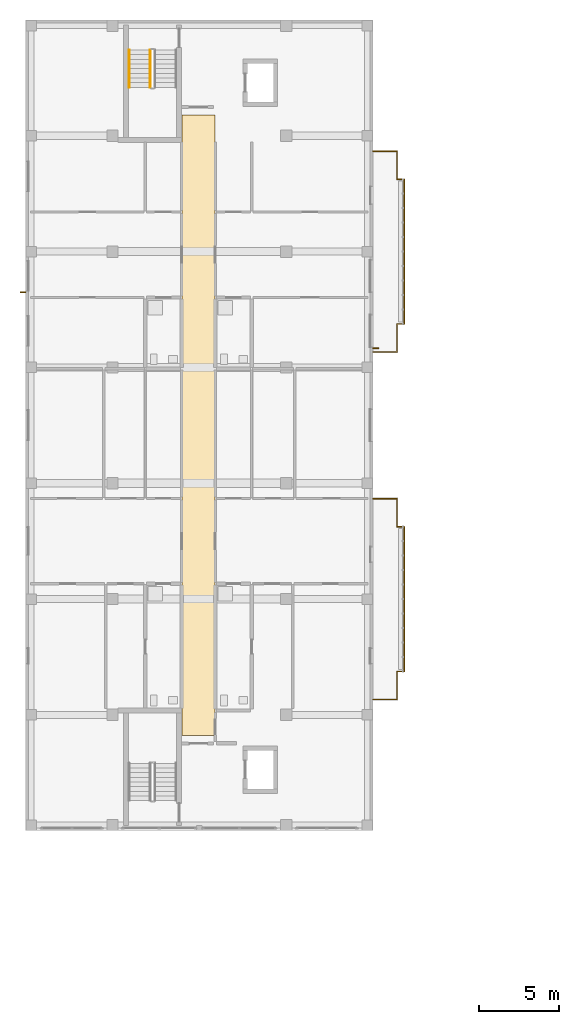
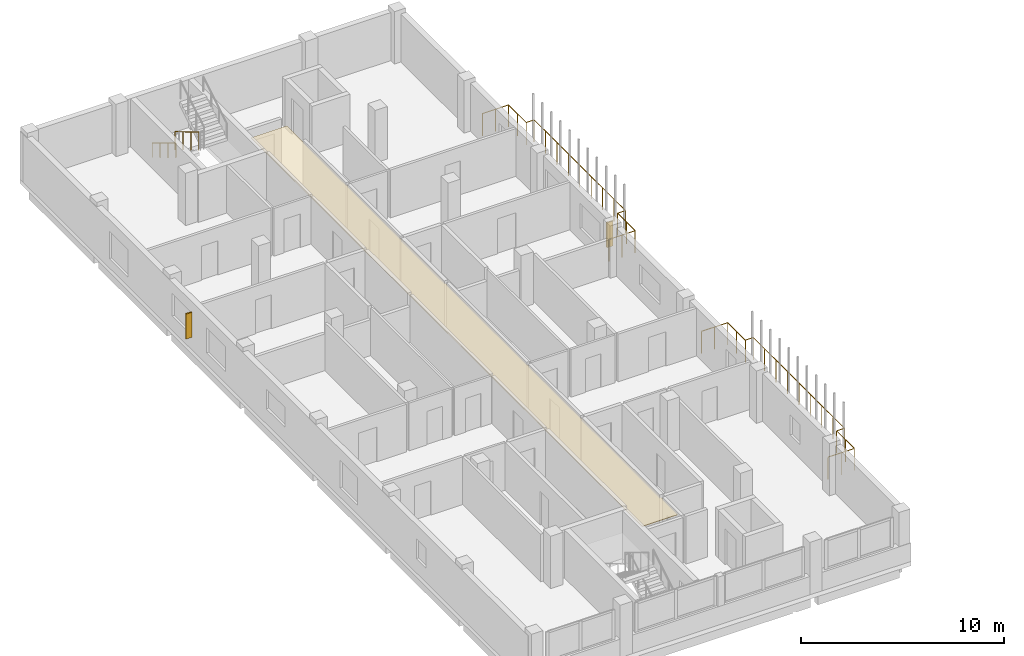
# One storey, part 43 of 51: 4 railings, 2 shading devices, 1 covering.
"""IFC4 building model written with IfcOpenShell, lengths in metres."""

from ifc_helpers import new_model, si_unit, derived_unit, direction, frame, origin, origin_2d, place, context, subcontext, project, spatial, polyline, rectangle, circle, outline, extrude, material, layer, layer_set, type_object, element, save


model = new_model("IFC4")

# Units and contexts
model_context = context("Model", 3, precision=1e-05, world=origin(), true_north=direction((0.0, 1.0)))
body_context = subcontext(model_context, "Body", "Model", "MODEL_VIEW")
ifc_project = project(units=[si_unit("LENGTHUNIT", "METRE"), si_unit("AREAUNIT", "SQUARE_METRE"), si_unit("VOLUMEUNIT", "CUBIC_METRE"), si_unit("PLANEANGLEUNIT", "RADIAN"), si_unit("MASSUNIT", "GRAM", prefix="KILO"), derived_unit("THERMALTRANSMITTANCEUNIT", [(si_unit("MASSUNIT", "GRAM", prefix="KILO"), 1), (si_unit("TIMEUNIT", "SECOND"), -3), (si_unit("THERMODYNAMICTEMPERATUREUNIT", "KELVIN"), -1)])], contexts=[model_context])

# Site, building, storey
site_placement = place(None, origin())
site = spatial("IfcSite", under=ifc_project, at=site_placement, CompositionType="ELEMENT")
building_placement = place(site_placement, origin())
building = spatial("IfcBuilding", under=site, at=building_placement, Name="Ochrekiln Boulevard Commons", CompositionType="ELEMENT")
storey_placement = place(building_placement, frame((0.0, 0.0, 15.22509765625)))
storey = spatial("IfcBuildingStorey", under=building, at=storey_placement, Name="L04", CompositionType="ELEMENT", Elevation=15.22509765625)

# Covering
ifc_material_1 = material(Name="Mineral-fibre acoustic ceiling tile")
ifc_layer = layer(ifc_material_1, 0.02490234375)
ifc_layer_set = layer_set([ifc_layer], Name="Mineral-fibre acoustic ceiling tile")
covering_type = type_object("IfcCoveringType", Name="COV-CEIL-AC", PredefinedType="CEILING", material=ifc_layer_set)
covering_placement = place(storey_placement, frame((0.0, 0.0, 2.64990234375)))
element("IfcCovering", 1, at=covering_placement, inside=storey, type_object=covering_type, Name="L04 Acoustic Corridor Ceiling 43", PredefinedType="CEILING", context=body_context, shape_type="SweptSolid", body=[
    extrude(outline(polyline([(9.719970703125, 74.320068359375), (11.780029296875, 74.320068359375), (11.780029296875, 112.8798828125), (9.719970703125, 112.8798828125), (9.719970703125, 74.320068359375)])), origin(), (0.0, 0.0, 1.0), 0.02490234375),
])

# Railings
ifc_material_2 = material(Name="Bronze-anodized extruded aluminium 6063-T6", Category="aluminium")
railing_type_1 = type_object("IfcRailingType", Name="RLG-BAL-1350", PredefinedType="BALUSTRADE", material=ifc_material_2)
railing_1_placement = place(storey_placement, frame((21.60009765625, 76.56005859375, 0.0)))
element("IfcRailing", 2, at=railing_1_placement, inside=storey, type_object=railing_type_1, Name="Block A L04 Balcony Guard Balustrade 1", PredefinedType="BALUSTRADE", context=body_context, shape_type="SweptSolid", body=[
    extrude(circle(Radius=0.02392578125, at=origin_2d()), frame((0.0, 0.0, 1.326171875), z_axis=(1.0, 0.0, 0.0), x_axis=(0.0, 1.0, 0.0)), (0.0, 0.0, 1.0), 1.489990234375),
    extrude(circle(Radius=0.02392578125, at=origin_2d()), frame((1.489990234375, 0.0, 1.326171875), z_axis=(0.0, 1.0, 0.0), x_axis=(-1.0, 0.0, 0.0)), (0.0, 0.0, 1.0), 1.739990234375),
    extrude(circle(Radius=0.02392578125, at=origin_2d()), frame((1.489990234375, 1.739990234375, 1.326171875), z_axis=(1.0, 0.0, 0.0), x_axis=(0.0, 1.0, 0.0)), (0.0, 0.0, 1.0), 0.449951171875),
    extrude(circle(Radius=0.02392578125, at=origin_2d()), frame((1.93994140625, 1.739990234375, 1.326171875), z_axis=(0.0, 1.0, 0.0), x_axis=(-1.0, 0.0, 0.0)), (0.0, 0.0, 1.0), 9.0),
    extrude(circle(Radius=0.02392578125, at=origin_2d()), frame((1.93994140625, 10.739990234375, 1.326171875), z_axis=(-1.0, 0.0, 0.0), x_axis=(0.0, -1.0, 0.0)), (0.0, 0.0, 1.0), 0.449951171875),
    extrude(circle(Radius=0.02392578125, at=origin_2d()), frame((1.489990234375, 10.739990234375, 1.326171875), z_axis=(0.0, 1.0, 0.0), x_axis=(-1.0, 0.0, 0.0)), (0.0, 0.0, 1.0), 1.739990234375),
    extrude(circle(Radius=0.02392578125, at=origin_2d()), frame((1.489990234375, 12.47998046875, 1.326171875), z_axis=(-1.0, 0.0, 0.0), x_axis=(0.0, -1.0, 0.0)), (0.0, 0.0, 1.0), 1.489990234375),
    extrude(circle(Radius=0.02099609375, at=origin_2d()), origin(), (0.0, 0.0, 1.0), 1.302001953125),
    extrude(circle(Radius=0.02099609375, at=origin_2d()), frame((0.7451171875, 0.0, 0.0)), (0.0, 0.0, 1.0), 1.302001953125),
    extrude(circle(Radius=0.02099609375, at=origin_2d()), frame((1.489990234375, 0.0, 0.0)), (0.0, 0.0, 1.0), 1.302001953125),
    extrude(circle(Radius=0.02099609375, at=origin_2d()), frame((1.489990234375, 0.8701171875, 0.0)), (0.0, 0.0, 1.0), 1.302001953125),
    extrude(circle(Radius=0.02099609375, at=origin_2d()), frame((1.489990234375, 1.739990234375, 0.0)), (0.0, 0.0, 1.0), 1.302001953125),
    extrude(circle(Radius=0.02099609375, at=origin_2d()), frame((1.93994140625, 1.739990234375, 0.0)), (0.0, 0.0, 1.0), 1.302001953125),
    extrude(circle(Radius=0.02099609375, at=origin_2d()), frame((1.93994140625, 2.864990234375, 0.0)), (0.0, 0.0, 1.0), 1.302001953125),
    extrude(circle(Radius=0.02099609375, at=origin_2d()), frame((1.93994140625, 3.989990234375, 0.0)), (0.0, 0.0, 1.0), 1.302001953125),
    extrude(circle(Radius=0.02099609375, at=origin_2d()), frame((1.93994140625, 5.114990234375, 0.0)), (0.0, 0.0, 1.0), 1.302001953125),
    extrude(circle(Radius=0.02099609375, at=origin_2d()), frame((1.93994140625, 6.239990234375, 0.0)), (0.0, 0.0, 1.0), 1.302001953125),
    extrude(circle(Radius=0.02099609375, at=origin_2d()), frame((1.93994140625, 7.364990234375, 0.0)), (0.0, 0.0, 1.0), 1.302001953125),
    extrude(circle(Radius=0.02099609375, at=origin_2d()), frame((1.93994140625, 8.489990234375, 0.0)), (0.0, 0.0, 1.0), 1.302001953125),
    extrude(circle(Radius=0.02099609375, at=origin_2d()), frame((1.93994140625, 9.614990234375, 0.0)), (0.0, 0.0, 1.0), 1.302001953125),
    extrude(circle(Radius=0.02099609375, at=origin_2d()), frame((1.93994140625, 10.739990234375, 0.0)), (0.0, 0.0, 1.0), 1.302001953125),
    extrude(circle(Radius=0.02099609375, at=origin_2d()), frame((1.489990234375, 10.739990234375, 0.0)), (0.0, 0.0, 1.0), 1.302001953125),
    extrude(circle(Radius=0.02099609375, at=origin_2d()), frame((1.489990234375, 11.60986328125, 0.0)), (0.0, 0.0, 1.0), 1.302001953125),
    extrude(circle(Radius=0.02099609375, at=origin_2d()), frame((1.489990234375, 12.47998046875, 0.0)), (0.0, 0.0, 1.0), 1.302001953125),
    extrude(circle(Radius=0.02099609375, at=origin_2d()), frame((0.7451171875, 12.47998046875, 0.0)), (0.0, 0.0, 1.0), 1.302001953125),
    extrude(circle(Radius=0.02099609375, at=origin_2d()), frame((0.0, 12.47998046875, 0.0)), (0.0, 0.0, 1.0), 1.302001953125),
])
railing_2_placement = place(storey_placement, frame((21.60009765625, 98.159912109375, 0.0)))
element("IfcRailing", 3, at=railing_2_placement, inside=storey, type_object=railing_type_1, Name="Block A L04 Balcony Guard Balustrade 2", PredefinedType="BALUSTRADE", context=body_context, shape_type="SweptSolid", body=[
    extrude(circle(Radius=0.02392578125, at=origin_2d()), frame((0.0, 0.0, 1.326171875), z_axis=(1.0, 0.0, 0.0), x_axis=(0.0, 1.0, 0.0)), (0.0, 0.0, 1.0), 1.489990234375),
    extrude(circle(Radius=0.02392578125, at=origin_2d()), frame((1.489990234375, 0.0, 1.326171875), z_axis=(0.0, 1.0, 0.0), x_axis=(-1.0, 0.0, 0.0)), (0.0, 0.0, 1.0), 1.739990234375),
    extrude(circle(Radius=0.02392578125, at=origin_2d()), frame((1.489990234375, 1.739990234375, 1.326171875), z_axis=(1.0, 0.0, 0.0), x_axis=(0.0, 1.0, 0.0)), (0.0, 0.0, 1.0), 0.449951171875),
    extrude(circle(Radius=0.02392578125, at=origin_2d()), frame((1.93994140625, 1.739990234375, 1.326171875), z_axis=(0.0, 1.0, 0.0), x_axis=(-1.0, 0.0, 0.0)), (0.0, 0.0, 1.0), 9.0),
    extrude(circle(Radius=0.02392578125, at=origin_2d()), frame((1.93994140625, 10.739990234375, 1.326171875), z_axis=(-1.0, 0.0, 0.0), x_axis=(0.0, -1.0, 0.0)), (0.0, 0.0, 1.0), 0.449951171875),
    extrude(circle(Radius=0.02392578125, at=origin_2d()), frame((1.489990234375, 10.739990234375, 1.326171875), z_axis=(0.0, 1.0, 0.0), x_axis=(-1.0, 0.0, 0.0)), (0.0, 0.0, 1.0), 1.739990234375),
    extrude(circle(Radius=0.02392578125, at=origin_2d()), frame((1.489990234375, 12.47998046875, 1.326171875), z_axis=(-1.0, 0.0, 0.0), x_axis=(0.0, -1.0, 0.0)), (0.0, 0.0, 1.0), 1.489990234375),
    extrude(circle(Radius=0.02099609375, at=origin_2d()), origin(), (0.0, 0.0, 1.0), 1.302001953125),
    extrude(circle(Radius=0.02099609375, at=origin_2d()), frame((0.7451171875, 0.0, 0.0)), (0.0, 0.0, 1.0), 1.302001953125),
    extrude(circle(Radius=0.02099609375, at=origin_2d()), frame((1.489990234375, 0.0, 0.0)), (0.0, 0.0, 1.0), 1.302001953125),
    extrude(circle(Radius=0.02099609375, at=origin_2d()), frame((1.489990234375, 0.8701171875, 0.0)), (0.0, 0.0, 1.0), 1.302001953125),
    extrude(circle(Radius=0.02099609375, at=origin_2d()), frame((1.489990234375, 1.739990234375, 0.0)), (0.0, 0.0, 1.0), 1.302001953125),
    extrude(circle(Radius=0.02099609375, at=origin_2d()), frame((1.93994140625, 1.739990234375, 0.0)), (0.0, 0.0, 1.0), 1.302001953125),
    extrude(circle(Radius=0.02099609375, at=origin_2d()), frame((1.93994140625, 2.864990234375, 0.0)), (0.0, 0.0, 1.0), 1.302001953125),
    extrude(circle(Radius=0.02099609375, at=origin_2d()), frame((1.93994140625, 3.989990234375, 0.0)), (0.0, 0.0, 1.0), 1.302001953125),
    extrude(circle(Radius=0.02099609375, at=origin_2d()), frame((1.93994140625, 5.114990234375, 0.0)), (0.0, 0.0, 1.0), 1.302001953125),
    extrude(circle(Radius=0.02099609375, at=origin_2d()), frame((1.93994140625, 6.239990234375, 0.0)), (0.0, 0.0, 1.0), 1.302001953125),
    extrude(circle(Radius=0.02099609375, at=origin_2d()), frame((1.93994140625, 7.364990234375, 0.0)), (0.0, 0.0, 1.0), 1.302001953125),
    extrude(circle(Radius=0.02099609375, at=origin_2d()), frame((1.93994140625, 8.489990234375, 0.0)), (0.0, 0.0, 1.0), 1.302001953125),
    extrude(circle(Radius=0.02099609375, at=origin_2d()), frame((1.93994140625, 9.614990234375, 0.0)), (0.0, 0.0, 1.0), 1.302001953125),
    extrude(circle(Radius=0.02099609375, at=origin_2d()), frame((1.93994140625, 10.739990234375, 0.0)), (0.0, 0.0, 1.0), 1.302001953125),
    extrude(circle(Radius=0.02099609375, at=origin_2d()), frame((1.489990234375, 10.739990234375, 0.0)), (0.0, 0.0, 1.0), 1.302001953125),
    extrude(circle(Radius=0.02099609375, at=origin_2d()), frame((1.489990234375, 11.60986328125, 0.0)), (0.0, 0.0, 1.0), 1.302001953125),
    extrude(circle(Radius=0.02099609375, at=origin_2d()), frame((1.489990234375, 12.47998046875, 0.0)), (0.0, 0.0, 1.0), 1.302001953125),
    extrude(circle(Radius=0.02099609375, at=origin_2d()), frame((0.7451171875, 12.47998046875, 0.0)), (0.0, 0.0, 1.0), 1.302001953125),
    extrude(circle(Radius=0.02099609375, at=origin_2d()), frame((0.0, 12.47998046875, 0.0)), (0.0, 0.0, 1.0), 1.302001953125),
])
ifc_material_3 = material(Name="Brushed stainless steel 316 tubular railing", Category="steel")
railing_type_2 = type_object("IfcRailingType", Name="RLG-HDR-900", PredefinedType="HANDRAIL", material=ifc_material_3)
railing_3_placement = place(storey_placement, frame((6.449951171875, 116.929931640625, 0.1748046875)))
element("IfcRailing", 4, at=railing_3_placement, inside=storey, type_object=railing_type_2, Name="L04 ST-A2 stair handrail 1", PredefinedType="HANDRAIL", context=body_context, shape_type="SweptSolid", body=[
    extrude(circle(Radius=0.02392578125, at=origin_2d()), frame((0.0, 0.0, 0.8759765625), z_axis=(0.0, -0.856146426353, 0.516733293531), x_axis=(1.0, 0.0, 0.0)), (0.0, 0.0, 1.0), 2.709716796875),
    extrude(circle(Radius=0.02099609375, at=origin_2d()), origin(), (0.0, 0.0, 1.0), 0.851806640625),
    extrude(circle(Radius=0.02099609375, at=origin_2d()), frame((0.0, -0.773193359375, 0.466796875)), (0.0, 0.0, 1.0), 0.851806640625),
    extrude(circle(Radius=0.02099609375, at=origin_2d()), frame((0.0, -1.546630859375, 0.933349609375)), (0.0, 0.0, 1.0), 0.851806640625),
    extrude(circle(Radius=0.02099609375, at=origin_2d()), frame((0.0, -2.31982421875, 1.400146484375)), (0.0, 0.0, 1.0), 0.851806640625),
])
railing_type_3 = type_object("IfcRailingType", Name="RLG-STR-1120", PredefinedType="BALUSTRADE", material=ifc_material_3)
railing_4_placement = place(storey_placement, frame((7.75, 116.929931640625, 0.1748046875)))
element("IfcRailing", 5, at=railing_4_placement, inside=storey, type_object=railing_type_3, Name="L04 ST-A2 stair guard 1", PredefinedType="BALUSTRADE", context=body_context, shape_type="SweptSolid", body=[
    extrude(circle(Radius=0.02392578125, at=origin_2d()), frame((0.0, 0.0, 1.09619140625), z_axis=(0.0, -0.856146426353, 0.516733293531), x_axis=(1.0, 0.0, 0.0)), (0.0, 0.0, 1.0), 2.709716796875),
    extrude(circle(Radius=0.02099609375, at=origin_2d()), origin(), (0.0, 0.0, 1.0), 1.072021484375),
    extrude(circle(Radius=0.02099609375, at=origin_2d()), frame((0.0, -0.773193359375, 0.466796875)), (0.0, 0.0, 1.0), 1.072021484375),
    extrude(circle(Radius=0.02099609375, at=origin_2d()), frame((0.0, -1.546630859375, 0.933349609375)), (0.0, 0.0, 1.0), 1.072021484375),
    extrude(circle(Radius=0.02099609375, at=origin_2d()), frame((0.0, -2.31982421875, 1.400146484375)), (0.0, 0.0, 1.0), 1.072021484375),
])

# Shading devices
ifc_material_4 = material(Name="Glazed architectural terracotta ASTM C1405", Category="masonry")
shading_device_type = type_object("IfcShadingDeviceType", Name="SHD-FIN-TERRA", PredefinedType="JALOUSIE", material=ifc_material_4)
for number, where, z_axis, x_axis, name in (
    (6, (-0.169921875, 101.8740234375, 0.77978515625), (0.0, 0.0, 1.0), (1.0, 0.0, 0.0), "Terracotta Solar Shading Fin SF-01 (7)"),
    (7, (21.77001953125, 98.388916015625, 0.704833984375), (0.0, 0.0, 1.0), (1.0, 0.0, 0.0), "Terracotta Solar Shading Fin SF-01 (8)"),
):
    element("IfcShadingDevice", number, at=place(storey_placement, frame(where, z_axis=z_axis, x_axis=x_axis)), inside=storey, type_object=shading_device_type, Name=name, PredefinedType="JALOUSIE", context=body_context, shape_type="SweptSolid", body=[
        extrude(rectangle(XDim=0.35009765625, YDim=0.080078125, at=origin_2d()), origin(), (0.0, 0.0, 1.0), 1.5),
    ])

save(model, "model.ifc")
